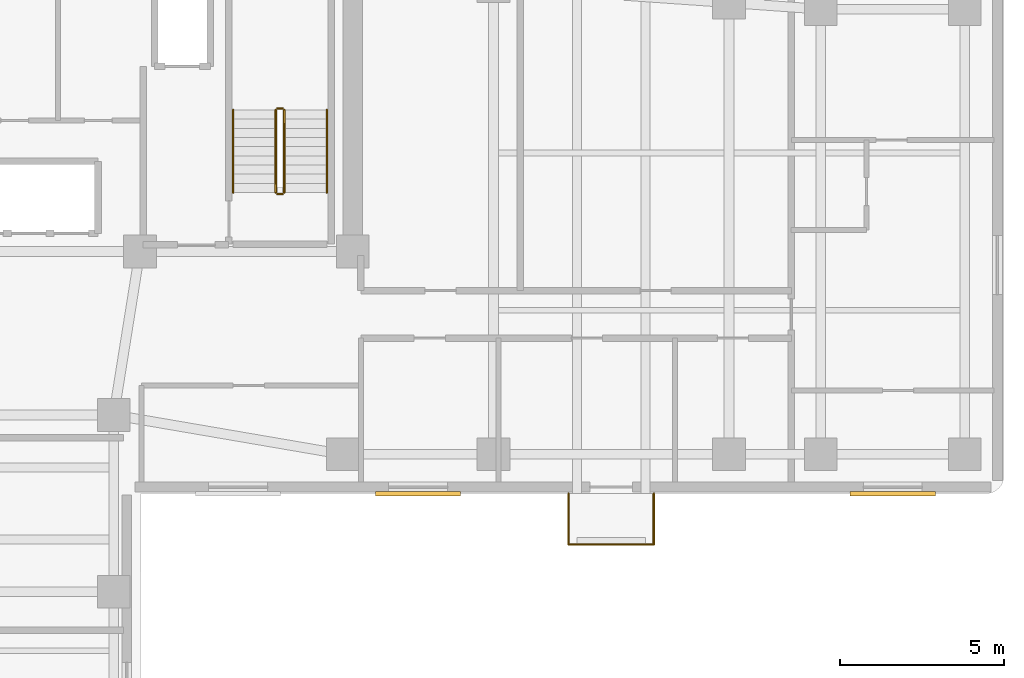
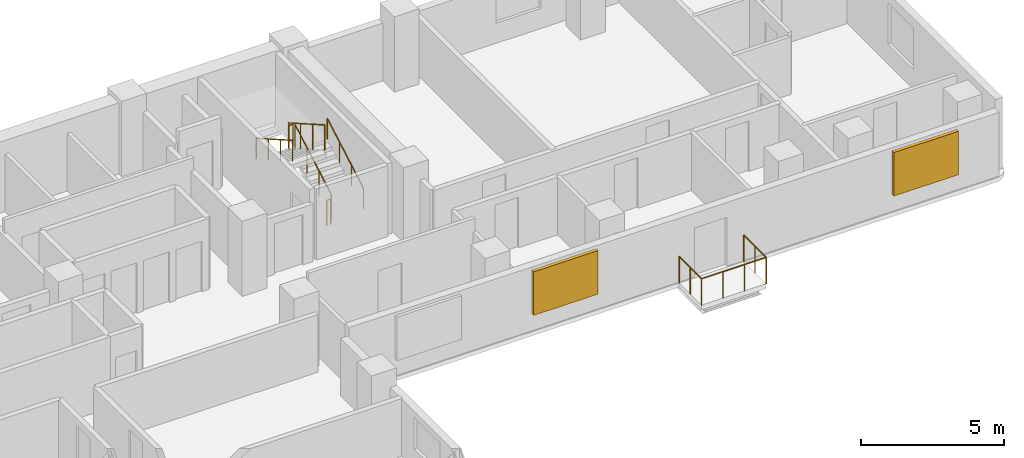
# One storey, part 7 of 7: 9 railings, 2 shading devices.
"""IFC4 building model written with IfcOpenShell, lengths in metres."""

from ifc_helpers import new_model, si_unit, direction, frame, origin, origin_2d, place, context, subcontext, project, spatial, rectangle, circle, extrude, material, layer, layer_set, type_object, element, save


model = new_model("IFC4")

# Units and contexts
model_context = context("Model", 3, precision=1e-05, world=origin(), true_north=direction((0.0, 1.0)))
body_context = subcontext(model_context, "Body", "Model", "MODEL_VIEW")
ifc_project = project(units=[si_unit("LENGTHUNIT", "METRE"), si_unit("AREAUNIT", "SQUARE_METRE"), si_unit("VOLUMEUNIT", "CUBIC_METRE"), si_unit("PLANEANGLEUNIT", "RADIAN"), si_unit("MASSUNIT", "GRAM", prefix="KILO")], contexts=[model_context])

# Site, building, storey
site_placement = place(None, origin())
site = spatial("IfcSite", under=ifc_project, at=site_placement, CompositionType="ELEMENT")
building_placement = place(site_placement, origin())
building = spatial("IfcBuilding", under=site, at=building_placement, Name="Kuzgunbayir Cultural Tower", CompositionType="ELEMENT")
storey_placement = place(building_placement, frame((0.0, 0.0, 142.60009765625)))
storey = spatial("IfcBuildingStorey", under=building, at=storey_placement, Name="L41", CompositionType="ELEMENT", Elevation=142.60009765625)

# Railings
ifc_material_1 = material(Name="Laminated Glass and Stainless Steel", Category="steel")
ifc_layer_1 = layer(ifc_material_1, 0.080078125)
ifc_layer_set_1 = layer_set([ifc_layer_1], Name="Laminated Glass and Stainless Steel")
railing_type_1 = type_object("IfcRailingType", Name="RLG-BAL-115", PredefinedType="BALUSTRADE", material=ifc_layer_set_1)
railing_1_placement = place(storey_placement, frame((33.5, 26.39990234375, 0.0)))
element("IfcRailing", 1, at=railing_1_placement, inside=storey, type_object=railing_type_1, Name="L41 Balcony Guard BAL-L41-WB2 Segment 1", PredefinedType="BALUSTRADE", context=body_context, shape_type="SweptSolid", body=[
    extrude(circle(Radius=0.02392578125, at=origin_2d()), frame((0.0, 0.0, 1.1259765625), z_axis=(0.0, -1.0, 0.0), x_axis=(1.0, 0.0, 0.0)), (0.0, 0.0, 1.0), 1.559814453125),
    extrude(circle(Radius=0.02099609375, at=origin_2d()), origin(), (0.0, 0.0, 1.0), 1.101806640625),
    extrude(circle(Radius=0.02099609375, at=origin_2d()), frame((0.0, -0.77978515625, 0.0)), (0.0, 0.0, 1.0), 1.101806640625),
    extrude(circle(Radius=0.02099609375, at=origin_2d()), frame((0.0, -1.559814453125, 0.0)), (0.0, 0.0, 1.0), 1.101806640625),
])
railing_2_placement = place(storey_placement, frame((33.5, 24.840087890625, 0.0)))
element("IfcRailing", 2, at=railing_2_placement, inside=storey, type_object=railing_type_1, Name="L41 Balcony Guard BAL-L41-WB2 Segment 2", PredefinedType="BALUSTRADE", context=body_context, shape_type="SweptSolid", body=[
    extrude(circle(Radius=0.02392578125, at=origin_2d()), frame((0.0, 0.0, 1.1259765625), z_axis=(1.0, 0.0, 0.0), x_axis=(0.0, 1.0, 0.0)), (0.0, 0.0, 1.0), 2.60009765625),
    extrude(circle(Radius=0.02099609375, at=origin_2d()), origin(), (0.0, 0.0, 1.0), 1.101806640625),
    extrude(circle(Radius=0.02099609375, at=origin_2d()), frame((0.86669921875, 0.0, 0.0)), (0.0, 0.0, 1.0), 1.101806640625),
    extrude(circle(Radius=0.02099609375, at=origin_2d()), frame((1.7333984375, 0.0, 0.0)), (0.0, 0.0, 1.0), 1.101806640625),
    extrude(circle(Radius=0.02099609375, at=origin_2d()), frame((2.60009765625, 0.0, 0.0)), (0.0, 0.0, 1.0), 1.101806640625),
])
railing_3_placement = place(storey_placement, frame((36.10009765625, 24.840087890625, 0.0)))
element("IfcRailing", 3, at=railing_3_placement, inside=storey, type_object=railing_type_1, Name="L41 Balcony Guard BAL-L41-WB2 Segment 3", PredefinedType="BALUSTRADE", context=body_context, shape_type="SweptSolid", body=[
    extrude(circle(Radius=0.02392578125, at=origin_2d()), frame((0.0, 0.0, 1.1259765625), z_axis=(0.0, 1.0, 0.0), x_axis=(-1.0, 0.0, 0.0)), (0.0, 0.0, 1.0), 1.559814453125),
    extrude(circle(Radius=0.02099609375, at=origin_2d()), origin(), (0.0, 0.0, 1.0), 1.101806640625),
    extrude(circle(Radius=0.02099609375, at=origin_2d()), frame((0.0, 0.77978515625, 0.0)), (0.0, 0.0, 1.0), 1.101806640625),
    extrude(circle(Radius=0.02099609375, at=origin_2d()), frame((0.0, 1.559814453125, 0.0)), (0.0, 0.0, 1.0), 1.101806640625),
])
ifc_material_2 = material(Name="Brushed Stainless Steel", Category="steel")
ifc_layer_2 = layer(ifc_material_2, 0.050048828125)
ifc_layer_set_2 = layer_set([ifc_layer_2], Name="Brushed Stainless Steel")
railing_type_2 = type_object("IfcRailingType", Name="RLG-STAIR-HANDRAIL", PredefinedType="HANDRAIL", material=ifc_layer_set_2)
railing_4_placement = place(storey_placement, frame((26.110107421875, 35.60009765625, 0.159912109375)))
element("IfcRailing", 4, at=railing_4_placement, inside=storey, type_object=railing_type_2, Name="L41 ST-2 stair handrail 1", PredefinedType="HANDRAIL", context=body_context, shape_type="SweptSolid", body=[
    extrude(circle(Radius=0.02392578125, at=origin_2d()), frame((0.0, 0.0, 0.8759765625), z_axis=(0.0, 0.868253494771, 0.496120820787), x_axis=(-1.0, 0.0, 0.0)), (0.0, 0.0, 1.0), 2.90234375),
    extrude(circle(Radius=0.02099609375, at=origin_2d()), origin(), (0.0, 0.0, 1.0), 0.851806640625),
    extrude(circle(Radius=0.02099609375, at=origin_2d()), frame((0.0, 0.840087890625, 0.47998046875)), (0.0, 0.0, 1.0), 0.851806640625),
    extrude(circle(Radius=0.02099609375, at=origin_2d()), frame((0.0, 1.679931640625, 0.9599609375)), (0.0, 0.0, 1.0), 0.851806640625),
    extrude(circle(Radius=0.02099609375, at=origin_2d()), frame((0.0, 2.52001953125, 1.43994140625)), (0.0, 0.0, 1.0), 0.851806640625),
])
railing_5_placement = place(storey_placement, frame((23.25, 38.1201171875, 1.760009765625)))
element("IfcRailing", 5, at=railing_5_placement, inside=storey, type_object=railing_type_2, Name="L41 ST-2 stair handrail 2", PredefinedType="HANDRAIL", context=body_context, shape_type="SweptSolid", body=[
    extrude(circle(Radius=0.02392578125, at=origin_2d()), frame((0.0, 0.0, 0.8759765625), z_axis=(0.0, -0.868253494771, 0.496120820787), x_axis=(1.0, 0.0, 0.0)), (0.0, 0.0, 1.0), 2.90234375),
    extrude(circle(Radius=0.02099609375, at=origin_2d()), origin(), (0.0, 0.0, 1.0), 0.851806640625),
    extrude(circle(Radius=0.02099609375, at=origin_2d()), frame((0.0, -0.840087890625, 0.47998046875)), (0.0, 0.0, 1.0), 0.851806640625),
    extrude(circle(Radius=0.02099609375, at=origin_2d()), frame((0.0, -1.679931640625, 0.9599609375)), (0.0, 0.0, 1.0), 0.851806640625),
    extrude(circle(Radius=0.02099609375, at=origin_2d()), frame((0.0, -2.52001953125, 1.43994140625)), (0.0, 0.0, 1.0), 0.851806640625),
])
ifc_material_3 = material(Name="Painted Steel Balustrade", Category="steel")
ifc_layer_3 = layer(ifc_material_3, 0.06005859375)
ifc_layer_set_3 = layer_set([ifc_layer_3], Name="Painted Steel Balustrade")
railing_type_3 = type_object("IfcRailingType", Name="RLG-WELL-GUARD", PredefinedType="GUARDRAIL", material=ifc_layer_set_3)
railing_6_placement = place(storey_placement, frame((24.81005859375, 35.60009765625, 0.159912109375)))
element("IfcRailing", 6, at=railing_6_placement, inside=storey, type_object=railing_type_3, Name="L41 ST-2 stair guard 1", PredefinedType="GUARDRAIL", context=body_context, shape_type="SweptSolid", body=[
    extrude(circle(Radius=0.02392578125, at=origin_2d()), frame((0.0, 0.0, 1.076171875), z_axis=(0.0, 0.868253494771, 0.496120820787), x_axis=(-1.0, 0.0, 0.0)), (0.0, 0.0, 1.0), 2.90234375),
    extrude(circle(Radius=0.02099609375, at=origin_2d()), origin(), (0.0, 0.0, 1.0), 1.052001953125),
    extrude(circle(Radius=0.02099609375, at=origin_2d()), frame((0.0, 0.840087890625, 0.47998046875)), (0.0, 0.0, 1.0), 1.052001953125),
    extrude(circle(Radius=0.02099609375, at=origin_2d()), frame((0.0, 1.679931640625, 0.9599609375)), (0.0, 0.0, 1.0), 1.052001953125),
    extrude(circle(Radius=0.02099609375, at=origin_2d()), frame((0.0, 2.52001953125, 1.43994140625)), (0.0, 0.0, 1.0), 1.052001953125),
])
railing_7_placement = place(storey_placement, frame((24.760009765625, 38.169921875, 1.599853515625)))
element("IfcRailing", 7, at=railing_7_placement, inside=storey, type_object=railing_type_3, Name="L41 ST-2 stair guard 2", PredefinedType="GUARDRAIL", context=body_context, shape_type="SweptSolid", body=[
    extrude(circle(Radius=0.02392578125, at=origin_2d()), frame((0.0, 0.0, 1.076171875), z_axis=(-1.0, 0.0, 0.0), x_axis=(0.0, -1.0, 0.0)), (0.0, 0.0, 1.0), 0.159912109375),
    extrude(circle(Radius=0.02099609375, at=origin_2d()), origin(), (0.0, 0.0, 1.0), 1.052001953125),
    extrude(circle(Radius=0.02099609375, at=origin_2d()), frame((-0.159912109375, 0.0, 0.0)), (0.0, 0.0, 1.0), 1.052001953125),
])
railing_8_placement = place(storey_placement, frame((24.550048828125, 38.1201171875, 1.760009765625)))
element("IfcRailing", 8, at=railing_8_placement, inside=storey, type_object=railing_type_3, Name="L41 ST-2 stair guard 3", PredefinedType="GUARDRAIL", context=body_context, shape_type="SweptSolid", body=[
    extrude(circle(Radius=0.02392578125, at=origin_2d()), frame((0.0, 0.0, 1.076171875), z_axis=(0.0, -0.868253494771, 0.496120820787), x_axis=(1.0, 0.0, 0.0)), (0.0, 0.0, 1.0), 2.90234375),
    extrude(circle(Radius=0.02099609375, at=origin_2d()), origin(), (0.0, 0.0, 1.0), 1.052001953125),
    extrude(circle(Radius=0.02099609375, at=origin_2d()), frame((0.0, -0.840087890625, 0.47998046875)), (0.0, 0.0, 1.0), 1.052001953125),
    extrude(circle(Radius=0.02099609375, at=origin_2d()), frame((0.0, -1.679931640625, 0.9599609375)), (0.0, 0.0, 1.0), 1.052001953125),
    extrude(circle(Radius=0.02099609375, at=origin_2d()), frame((0.0, -2.52001953125, 1.43994140625)), (0.0, 0.0, 1.0), 1.052001953125),
])
railing_9_placement = place(storey_placement, frame((24.760009765625, 35.550048828125, 0.0)))
element("IfcRailing", 9, at=railing_9_placement, inside=storey, type_object=railing_type_3, Name="L41 ST-2 stair guard 4", PredefinedType="GUARDRAIL", context=body_context, shape_type="SweptSolid", body=[
    extrude(circle(Radius=0.02392578125, at=origin_2d()), frame((0.0, 0.0, 1.076171875), z_axis=(-1.0, 0.0, 0.0), x_axis=(0.0, -1.0, 0.0)), (0.0, 0.0, 1.0), 0.159912109375),
    extrude(circle(Radius=0.02099609375, at=origin_2d()), origin(), (0.0, 0.0, 1.0), 1.052001953125),
    extrude(circle(Radius=0.02099609375, at=origin_2d()), frame((-0.159912109375, 0.0, 0.0)), (0.0, 0.0, 1.0), 1.052001953125),
])

# Shading devices
ifc_material_4 = material(Name="Perforated Bronze-Anodised Aluminium", Category="aluminium")
shading_device_type = type_object("IfcShadingDeviceType", Name="SHD-SOLAR-BRONZE", PredefinedType="JALOUSIE", material=ifc_material_4)
for number, where, z_axis, x_axis, name in (
    (10, (28.89990234375, 26.39990234375, 0.724853515625), (0.0, 0.0, 1.0), (1.0, 0.0, 0.0), "L41 Solar Screen WBS12"),
    (11, (43.39990234375, 26.39990234375, 0.724853515625), (0.0, 0.0, 1.0), (1.0, 0.0, 0.0), "L41 Solar Screen WBS13"),
):
    element("IfcShadingDevice", number, at=place(storey_placement, frame(where, z_axis=z_axis, x_axis=x_axis)), inside=storey, type_object=shading_device_type, Name=name, PredefinedType="JALOUSIE", context=body_context, shape_type="SweptSolid", body=[
        extrude(rectangle(XDim=2.60009765625, YDim=0.139892578125, at=origin_2d()), origin(), (0.0, 0.0, 1.0), 1.85009765625),
    ])

save(model, "model.ifc")
